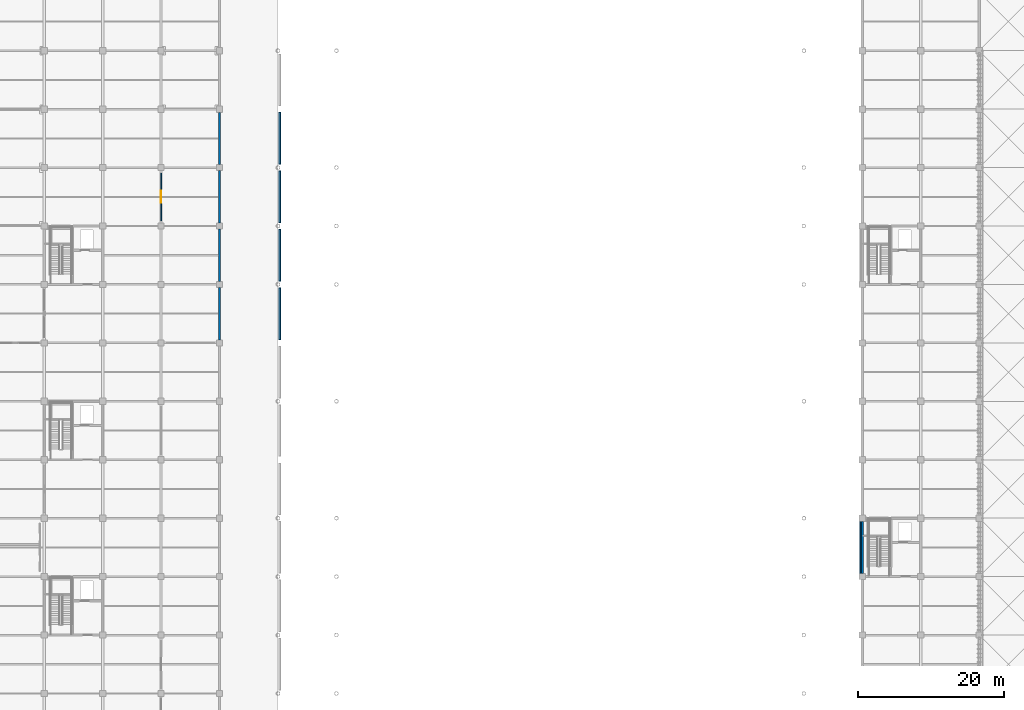
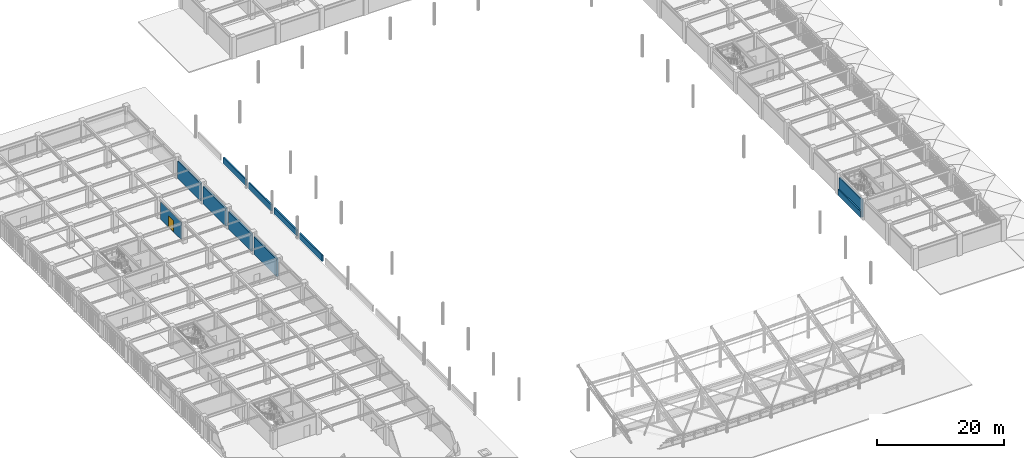
# One storey, part 54 of 78: 11 walls, 1 door, 1 opening.
"""IFC4 building model written with IfcOpenShell, lengths in metres."""

from ifc_helpers import new_model, si_unit, direction, frame, frame_2d, origin, place, context, subcontext, project, spatial, rectangle, extrude, material, layer, layer_set, type_object, element, fill, save


model = new_model("IFC4")

# Units and contexts
model_context = context("Model", 3, precision=1e-05, world=origin(), true_north=direction((0.0, 1.0)))
body_context = subcontext(model_context, "Body", "Model", "MODEL_VIEW")
ifc_project = project(units=[si_unit("LENGTHUNIT", "METRE"), si_unit("AREAUNIT", "SQUARE_METRE"), si_unit("VOLUMEUNIT", "CUBIC_METRE"), si_unit("PLANEANGLEUNIT", "RADIAN"), si_unit("MASSUNIT", "GRAM", prefix="KILO")], contexts=[model_context])

# Site, building, storey
site_placement = place(None, origin())
site = spatial("IfcSite", under=ifc_project, at=site_placement, CompositionType="ELEMENT")
building_placement = place(site_placement, origin())
building = spatial("IfcBuilding", under=site, at=building_placement, Name="Haebicheon Civic Stadium", CompositionType="ELEMENT")
storey_placement = place(building_placement, frame((0.0, 0.0, 18.60009765625)))
storey = spatial("IfcBuildingStorey", under=building, at=storey_placement, Name="L05", CompositionType="ELEMENT", Elevation=18.60009765625)

# Walls
ifc_material_1 = material(Name="Concrete C40/50", Category="concrete")
ifc_layer_1 = layer(ifc_material_1, 0.300048828125, Name="Concrete C40/50")
ifc_layer_set_1 = layer_set([ifc_layer_1], Name="Concrete C40/50")
wall_type_1 = type_object("IfcWallType", Name="CW-SHR-300", PredefinedType="SHEAR", material=ifc_layer_set_1)
wall_1_placement = place(storey_placement, frame((144.0, 64.425048828125, 0.0), z_axis=(0.0, 0.0, 1.0), x_axis=(0.0, 1.0, 0.0)))
element("IfcWall", 1, at=wall_1_placement, inside=storey, type_object=wall_type_1, material=ifc_layer_set_1, Name="KC-10 L05 west core shear wall", PredefinedType="SHEAR", context=body_context, shape_type="SweptSolid", body=[
    extrude(rectangle(XDim=7.14990234375, YDim=0.300048828125, at=frame_2d((3.574951171875, 0.0))), origin(), (0.0, 0.0, 1.0), 3.33984375),
])
ifc_material_2 = material(Name="Precast concrete C40/50", Category="concrete")
ifc_layer_2 = layer(ifc_material_2, 0.320068359375, Name="Precast concrete C40/50")
ifc_layer_set_2 = layer_set([ifc_layer_2], Name="Precast concrete C40/50")
wall_type_2 = type_object("IfcWallType", Name="EW-BM-320", PredefinedType="SOLIDWALL", material=ifc_layer_set_2)
for number, where, z_axis, x_axis, name in (
    (2, (56.0, 96.425048828125, 0.0), (0.0, 0.0, 1.0), (0.0, 1.0, 0.0), "L05 board-marked concrete facade wall 07-12-E"),
    (3, (56.0, 104.425048828125, 0.0), (0.0, 0.0, 1.0), (0.0, 1.0, 0.0), "L05 board-marked concrete facade wall 07-13-E"),
    (4, (56.0, 112.425048828125, 0.0), (0.0, 0.0, 1.0), (0.0, 1.0, 0.0), "L05 board-marked concrete facade wall 07-14-E"),
    (5, (56.0, 120.425048828125, 0.0), (0.0, 0.0, 1.0), (0.0, 1.0, 0.0), "L05 board-marked concrete facade wall 07-15-E"),
):
    element("IfcWall", number, at=place(storey_placement, frame(where, z_axis=z_axis, x_axis=x_axis)), inside=storey, type_object=wall_type_2, material=ifc_layer_set_2, Name=name, PredefinedType="SOLIDWALL", context=body_context, shape_type="SweptSolid", body=[
        extrude(rectangle(XDim=7.14990234375, YDim=0.320068359375, at=frame_2d((3.574951171875, 0.0))), origin(), (0.0, 0.0, 1.0), 3.349853515625),
    ])
ifc_material_3 = material(Name="Precast concrete C40/50", Category="concrete")
ifc_layer_3 = layer(ifc_material_3, 0.25, Name="Precast concrete C40/50")
ifc_layer_set_3 = layer_set([ifc_layer_3], Name="Precast concrete C40/50")
wall_type_3 = type_object("IfcWallType", Name="EW-PAR-250", PredefinedType="PARAPET", material=ifc_layer_set_3)
for number, where, z_axis, x_axis, name in (
    (6, (64.239990234375, 96.449951171875, 0.0), (0.0, 0.0, 1.0), (0.0, 1.0, 0.0), "TIER-W-U upper gangway parapet 7"),
    (7, (64.239990234375, 104.449951171875, 0.0), (0.0, 0.0, 1.0), (0.0, 1.0, 0.0), "TIER-W-U upper gangway parapet 8"),
    (8, (64.239990234375, 112.449951171875, 0.0), (0.0, 0.0, 1.0), (0.0, 1.0, 0.0), "TIER-W-U upper gangway parapet 9"),
    (9, (64.239990234375, 120.449951171875, 0.0), (0.0, 0.0, 1.0), (0.0, 1.0, 0.0), "TIER-W-U upper gangway parapet 10"),
    (10, (143.760009765625, 64.449951171875, 0.0), (0.0, 0.0, 1.0), (0.0, 1.0, 0.0), "TIER-E-U upper gangway parapet 3"),
):
    element("IfcWall", number, at=place(storey_placement, frame(where, z_axis=z_axis, x_axis=x_axis)), inside=storey, type_object=wall_type_3, material=ifc_layer_set_3, Name=name, PredefinedType="PARAPET", context=body_context, shape_type="SweptSolid", body=[
        extrude(rectangle(XDim=7.10009765625, YDim=0.25, at=frame_2d((3.550048828125, 0.0))), origin(), (0.0, 0.0, 1.0), 1.199951171875),
    ])

# Wall, opening, door
ifc_material_4 = material(Name="Gypsum plasterboard on steel studs", Category="gypsum")
ifc_layer_4 = layer(ifc_material_4, 0.14990234375, Name="Gypsum plasterboard on steel studs")
ifc_layer_set_4 = layer_set([ifc_layer_4], Name="Gypsum plasterboard on steel studs")
wall_type_4 = type_object("IfcWallType", Name="IW-PRT-150", PredefinedType="PARTITIONING", material=ifc_layer_set_4)
wall_2_placement = place(storey_placement, frame((48.0, 112.75, 0.0), z_axis=(0.0, 0.0, 1.0), x_axis=(0.0, 1.0, 0.0)))
wall_2 = element("IfcWall", 11, at=wall_2_placement, inside=storey, type_object=wall_type_4, material=ifc_layer_set_4, Name="L05 Supporters' Viewing Deck Lounge partition wall", PredefinedType="PARTITIONING", context=body_context, shape_type="SweptSolid", body=[
    extrude(rectangle(XDim=6.5, YDim=0.14990234375, at=frame_2d((3.25, 0.0))), origin(), (0.0, 0.0, 1.0), 3.33984375),
])
opening_placement = place(wall_2_placement, frame((2.449951171875, 0.0, 0.0)))
opening = element("IfcOpeningElement", 12, at=opening_placement, cuts=wall_2, Name="Opening D-L05-434", PredefinedType="OPENING", context=body_context, shape_type="SweptSolid", body=[
    extrude(rectangle(XDim=1.60009765625, YDim=2.199951171875, at=frame_2d((0.800048828125, 1.10009765625))), frame((0.0, 0.0849609375, 0.0), z_axis=(0.0, -1.0, 0.0), x_axis=(1.0, 0.0, 0.0)), (0.0, 0.0, 1.0), 0.169921875),
])
ifc_material_5 = material(Name="Anodised aluminium and laminated glass", Category="aluminium")
door_type = type_object("IfcDoorType", Name="ID-DBL-1600", OperationType="NOTDEFINED", PredefinedType="DOOR", material=ifc_material_5)
door_placement = place(opening_placement, origin())
door = element("IfcDoor", 13, at=door_placement, inside=storey, type_object=door_type, material=ifc_material_5, Name="L05 Supporters' Viewing Deck Lounge entrance door D-L05-434", OperationType="DOUBLE_SWING_LEFT", OverallHeight=2.199951171875, OverallWidth=1.60009765625, PredefinedType="DOOR", context=body_context, shape_type="SweptSolid", body=[
    extrude(rectangle(XDim=1.60009765625, YDim=2.199951171875, at=frame_2d((0.800048828125, 1.10009765625))), frame((0.0, 0.02490234375, 0.0), z_axis=(0.0, -1.0, 0.0), x_axis=(1.0, 0.0, 0.0)), (0.0, 0.0, 1.0), 0.050048828125),
])
fill(opening, door)

save(model, "model.ifc")
